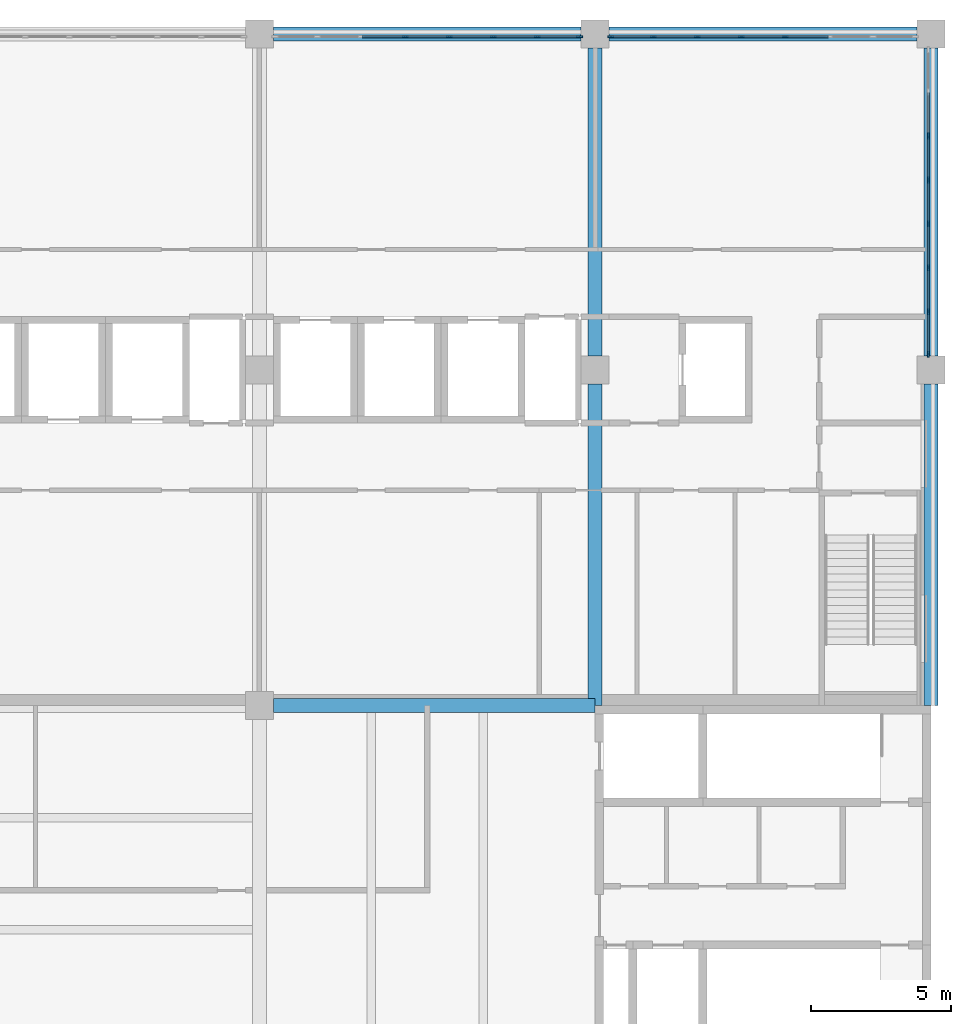
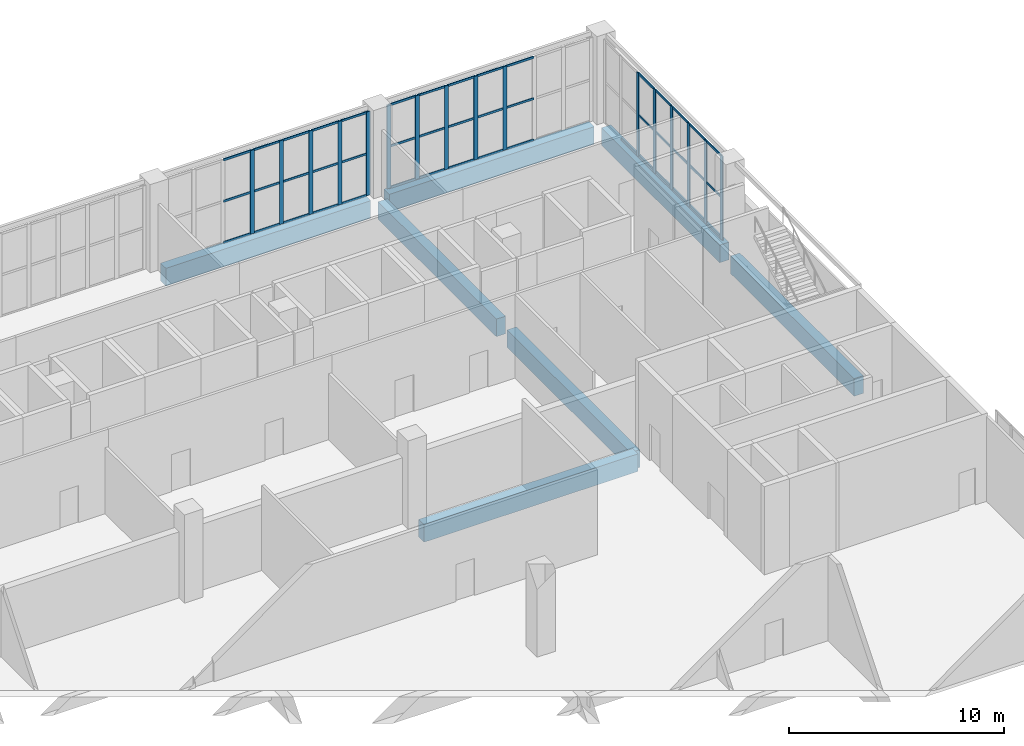
# One storey, part 40 of 69: 62 members, 7 beams, 3 elements without a shape of their own.
"""IFC4 building model written with IfcOpenShell, lengths in metres."""

from ifc_helpers import new_model, si_unit, direction, frame, origin, origin_2d, place, context, subcontext, project, spatial, rectangle, extrude, material, layer, layer_set, material_profile, profile_set, type_object, element, aggregate, save


model = new_model("IFC4")

# Units and contexts
model_context = context("Model", 3, precision=1e-05, world=origin(), true_north=direction((0.0, 1.0)))
body_context = subcontext(model_context, "Body", "Model", "MODEL_VIEW")
ifc_project = project(units=[si_unit("LENGTHUNIT", "METRE"), si_unit("AREAUNIT", "SQUARE_METRE"), si_unit("VOLUMEUNIT", "CUBIC_METRE"), si_unit("PLANEANGLEUNIT", "RADIAN"), si_unit("MASSUNIT", "GRAM", prefix="KILO")], contexts=[model_context])

# Site, building, storey
site_placement = place(None, origin())
site = spatial("IfcSite", under=ifc_project, at=site_placement, CompositionType="ELEMENT")
building_placement = place(site_placement, origin())
building = spatial("IfcBuilding", under=site, at=building_placement, Name="Lilac Gate Convention Centre", CompositionType="ELEMENT")
storey_placement = place(building_placement, frame((0.0, 0.0, 12.0)))
storey = spatial("IfcBuildingStorey", under=building, at=storey_placement, Name="L02", CompositionType="ELEMENT", Elevation=12.0)

# Curtain wall, members
ifc_material_1 = material(Name="Aluminium framed double glazing", Category="aluminium")
ifc_layer = layer(ifc_material_1, 0.199951171875)
ifc_layer_set = layer_set([ifc_layer], Name="Aluminium framed double glazing")
curtain_wall_type = type_object("IfcCurtainWallType", Name="Unitised curtain wall 1500", PredefinedType="NOTDEFINED", material=ifc_layer_set)
curtain_wall_1_placement = place(storey_placement, origin())
curtain_wall_1 = element("IfcCurtainWall", 1, at=curtain_wall_1_placement, inside=storey, type_object=curtain_wall_type, Name="Curtain wall E L02 2", PredefinedType="NOTDEFINED")
ifc_material_2 = material(Name="Aluminium alloy 6063", Category="aluminium")
ifc_material_profile_1 = material_profile(ifc_material_2, rectangle(XDim=0.06005859375, YDim=0.219970703125, at=origin_2d()), Name="Curtain wall mullion 60 x 220")
ifc_profile_set_1 = profile_set([ifc_material_profile_1], Name="Aluminium alloy 6063")
member_type_1 = type_object("IfcMemberType", Name="Curtain wall mullion 60 x 220", PredefinedType="MULLION", material=ifc_profile_set_1)
member_1_placement = place(storey_placement, frame((89.89990234375, 234.56005859375, 0.0), z_axis=(0.0, 0.0, 1.0), x_axis=(-1.0, 0.0, 0.0)))
member_1 = element("IfcMember", 2, at=member_1_placement, type_object=member_type_1, Name="CW mullion 1", PredefinedType="MULLION", context=body_context, shape_type="SweptSolid", body=[
    extrude(rectangle(XDim=0.06005859375, YDim=0.219970703125, at=origin_2d()), origin(), (0.0, 0.0, 1.0), 4.75),
])
member_2_placement = place(storey_placement, frame((89.89990234375, 236.071533203125, 0.0), z_axis=(0.0, 0.0, 1.0), x_axis=(-1.0, 0.0, 0.0)))
member_2 = element("IfcMember", 3, at=member_2_placement, type_object=member_type_1, Name="CW mullion 2", PredefinedType="MULLION", context=body_context, shape_type="SweptSolid", body=[
    extrude(rectangle(XDim=0.06005859375, YDim=0.219970703125, at=origin_2d()), origin(), (0.0, 0.0, 1.0), 4.75),
])
member_3_placement = place(storey_placement, frame((89.89990234375, 237.642822265625, 0.0), z_axis=(0.0, 0.0, 1.0), x_axis=(-1.0, 0.0, 0.0)))
member_3 = element("IfcMember", 4, at=member_3_placement, type_object=member_type_1, Name="CW mullion 3", PredefinedType="MULLION", context=body_context, shape_type="SweptSolid", body=[
    extrude(rectangle(XDim=0.06005859375, YDim=0.219970703125, at=origin_2d()), origin(), (0.0, 0.0, 1.0), 4.75),
])
member_4_placement = place(storey_placement, frame((89.89990234375, 239.21435546875, 0.0), z_axis=(0.0, 0.0, 1.0), x_axis=(-1.0, 0.0, 0.0)))
member_4 = element("IfcMember", 5, at=member_4_placement, type_object=member_type_1, Name="CW mullion 4", PredefinedType="MULLION", context=body_context, shape_type="SweptSolid", body=[
    extrude(rectangle(XDim=0.06005859375, YDim=0.219970703125, at=origin_2d()), origin(), (0.0, 0.0, 1.0), 4.75),
])
member_5_placement = place(storey_placement, frame((89.89990234375, 240.78564453125, 0.0), z_axis=(0.0, 0.0, 1.0), x_axis=(-1.0, 0.0, 0.0)))
member_5 = element("IfcMember", 6, at=member_5_placement, type_object=member_type_1, Name="CW mullion 5", PredefinedType="MULLION", context=body_context, shape_type="SweptSolid", body=[
    extrude(rectangle(XDim=0.06005859375, YDim=0.219970703125, at=origin_2d()), origin(), (0.0, 0.0, 1.0), 4.75),
])
member_6_placement = place(storey_placement, frame((89.89990234375, 242.357177734375, 0.0), z_axis=(0.0, 0.0, 1.0), x_axis=(-1.0, 0.0, 0.0)))
member_6 = element("IfcMember", 7, at=member_6_placement, type_object=member_type_1, Name="CW mullion 6", PredefinedType="MULLION", context=body_context, shape_type="SweptSolid", body=[
    extrude(rectangle(XDim=0.06005859375, YDim=0.219970703125, at=origin_2d()), origin(), (0.0, 0.0, 1.0), 4.75),
])

curtain_wall_2_placement = place(storey_placement, origin())
curtain_wall_2 = element("IfcCurtainWall", 8, at=curtain_wall_2_placement, inside=storey, type_object=curtain_wall_type, Name="Curtain wall N L02 1", PredefinedType="NOTDEFINED")
member_7_placement = place(storey_placement, frame((84.78564453125, 245.89990234375, 0.0), z_axis=(0.0, 0.0, 1.0), x_axis=(0.0, -1.0, 0.0)))
member_7 = element("IfcMember", 9, at=member_7_placement, type_object=member_type_1, Name="CW mullion 4", PredefinedType="MULLION", context=body_context, shape_type="SweptSolid", body=[
    extrude(rectangle(XDim=0.06005859375, YDim=0.219970703125, at=origin_2d()), origin(), (0.0, 0.0, 1.0), 4.75),
])
member_8_placement = place(storey_placement, frame((83.21435546875, 245.89990234375, 0.0), z_axis=(0.0, 0.0, 1.0), x_axis=(0.0, -1.0, 0.0)))
member_8 = element("IfcMember", 10, at=member_8_placement, type_object=member_type_1, Name="CW mullion 5", PredefinedType="MULLION", context=body_context, shape_type="SweptSolid", body=[
    extrude(rectangle(XDim=0.06005859375, YDim=0.219970703125, at=origin_2d()), origin(), (0.0, 0.0, 1.0), 4.75),
])
member_9_placement = place(storey_placement, frame((81.642822265625, 245.89990234375, 0.0), z_axis=(0.0, 0.0, 1.0), x_axis=(0.0, -1.0, 0.0)))
member_9 = element("IfcMember", 11, at=member_9_placement, type_object=member_type_1, Name="CW mullion 6", PredefinedType="MULLION", context=body_context, shape_type="SweptSolid", body=[
    extrude(rectangle(XDim=0.06005859375, YDim=0.219970703125, at=origin_2d()), origin(), (0.0, 0.0, 1.0), 4.75),
])
member_10_placement = place(storey_placement, frame((80.071533203125, 245.89990234375, 0.0), z_axis=(0.0, 0.0, 1.0), x_axis=(0.0, -1.0, 0.0)))
member_10 = element("IfcMember", 12, at=member_10_placement, type_object=member_type_1, Name="CW mullion 7", PredefinedType="MULLION", context=body_context, shape_type="SweptSolid", body=[
    extrude(rectangle(XDim=0.06005859375, YDim=0.219970703125, at=origin_2d()), origin(), (0.0, 0.0, 1.0), 4.75),
])
member_11_placement = place(storey_placement, frame((78.56005859375, 245.89990234375, 0.0), z_axis=(0.0, 0.0, 1.0), x_axis=(0.0, -1.0, 0.0)))
member_11 = element("IfcMember", 13, at=member_11_placement, type_object=member_type_1, Name="CW mullion 8", PredefinedType="MULLION", context=body_context, shape_type="SweptSolid", body=[
    extrude(rectangle(XDim=0.06005859375, YDim=0.219970703125, at=origin_2d()), origin(), (0.0, 0.0, 1.0), 4.75),
])

curtain_wall_3_placement = place(storey_placement, origin())
curtain_wall_3 = element("IfcCurtainWall", 14, at=curtain_wall_3_placement, inside=storey, type_object=curtain_wall_type, Name="Curtain wall N L02 2", PredefinedType="NOTDEFINED")
member_12_placement = place(storey_placement, frame((77.43994140625, 245.89990234375, 0.0), z_axis=(0.0, 0.0, 1.0), x_axis=(0.0, -1.0, 0.0)))
member_12 = element("IfcMember", 15, at=member_12_placement, type_object=member_type_1, Name="CW mullion 1", PredefinedType="MULLION", context=body_context, shape_type="SweptSolid", body=[
    extrude(rectangle(XDim=0.06005859375, YDim=0.219970703125, at=origin_2d()), origin(), (0.0, 0.0, 1.0), 4.75),
])
member_13_placement = place(storey_placement, frame((75.928466796875, 245.89990234375, 0.0), z_axis=(0.0, 0.0, 1.0), x_axis=(0.0, -1.0, 0.0)))
member_13 = element("IfcMember", 16, at=member_13_placement, type_object=member_type_1, Name="CW mullion 2", PredefinedType="MULLION", context=body_context, shape_type="SweptSolid", body=[
    extrude(rectangle(XDim=0.06005859375, YDim=0.219970703125, at=origin_2d()), origin(), (0.0, 0.0, 1.0), 4.75),
])
member_14_placement = place(storey_placement, frame((74.357177734375, 245.89990234375, 0.0), z_axis=(0.0, 0.0, 1.0), x_axis=(0.0, -1.0, 0.0)))
member_14 = element("IfcMember", 17, at=member_14_placement, type_object=member_type_1, Name="CW mullion 3", PredefinedType="MULLION", context=body_context, shape_type="SweptSolid", body=[
    extrude(rectangle(XDim=0.06005859375, YDim=0.219970703125, at=origin_2d()), origin(), (0.0, 0.0, 1.0), 4.75),
])
member_15_placement = place(storey_placement, frame((72.78564453125, 245.89990234375, 0.0), z_axis=(0.0, 0.0, 1.0), x_axis=(0.0, -1.0, 0.0)))
member_15 = element("IfcMember", 18, at=member_15_placement, type_object=member_type_1, Name="CW mullion 4", PredefinedType="MULLION", context=body_context, shape_type="SweptSolid", body=[
    extrude(rectangle(XDim=0.06005859375, YDim=0.219970703125, at=origin_2d()), origin(), (0.0, 0.0, 1.0), 4.75),
])
member_16_placement = place(storey_placement, frame((71.21435546875, 245.89990234375, 0.0), z_axis=(0.0, 0.0, 1.0), x_axis=(0.0, -1.0, 0.0)))
member_16 = element("IfcMember", 19, at=member_16_placement, type_object=member_type_1, Name="CW mullion 5", PredefinedType="MULLION", context=body_context, shape_type="SweptSolid", body=[
    extrude(rectangle(XDim=0.06005859375, YDim=0.219970703125, at=origin_2d()), origin(), (0.0, 0.0, 1.0), 4.75),
])

# Member
ifc_material_profile_2 = material_profile(ifc_material_2, rectangle(XDim=0.06005859375, YDim=0.1201171875, at=origin_2d()), Name="Curtain wall transom 60 x 120")
ifc_profile_set_2 = profile_set([ifc_material_profile_2], Name="Aluminium alloy 6063")
member_type_2 = type_object("IfcMemberType", Name="Curtain wall transom 60 x 120", PredefinedType="USERDEFINED", material=ifc_profile_set_2)
member_17_placement = place(storey_placement, frame((89.89990234375, 234.56005859375, 0.030029296875), z_axis=(0.0, 1.0, 0.0), x_axis=(-1.0, 0.0, 0.0)))
member_17 = element("IfcMember", 20, at=member_17_placement, type_object=member_type_2, Name="CW transom 1.1", ObjectType="TRANSOM", PredefinedType="USERDEFINED", context=body_context, shape_type="SweptSolid", body=[
    extrude(rectangle(XDim=0.06005859375, YDim=0.1201171875, at=origin_2d()), origin(), (0.0, 0.0, 1.0), 1.4814453125),
])

member_18_placement = place(storey_placement, frame((89.89990234375, 234.56005859375, 2.375), z_axis=(0.0, 1.0, 0.0), x_axis=(-1.0, 0.0, 0.0)))
member_18 = element("IfcMember", 21, at=member_18_placement, type_object=member_type_2, Name="CW transom 1.2", ObjectType="TRANSOM", PredefinedType="USERDEFINED", context=body_context, shape_type="SweptSolid", body=[
    extrude(rectangle(XDim=0.06005859375, YDim=0.1201171875, at=origin_2d()), origin(), (0.0, 0.0, 1.0), 1.4814453125),
])

member_19_placement = place(storey_placement, frame((89.89990234375, 234.56005859375, 4.719970703125), z_axis=(0.0, 1.0, 0.0), x_axis=(-1.0, 0.0, 0.0)))
member_19 = element("IfcMember", 22, at=member_19_placement, type_object=member_type_2, Name="CW transom 1.3", ObjectType="TRANSOM", PredefinedType="USERDEFINED", context=body_context, shape_type="SweptSolid", body=[
    extrude(rectangle(XDim=0.06005859375, YDim=0.1201171875, at=origin_2d()), origin(), (0.0, 0.0, 1.0), 1.4814453125),
])

member_20_placement = place(storey_placement, frame((89.89990234375, 236.101318359375, 0.030029296875), z_axis=(0.0, 1.0, 0.0), x_axis=(-1.0, 0.0, 0.0)))
member_20 = element("IfcMember", 23, at=member_20_placement, type_object=member_type_2, Name="CW transom 2.1", ObjectType="TRANSOM", PredefinedType="USERDEFINED", context=body_context, shape_type="SweptSolid", body=[
    extrude(rectangle(XDim=0.06005859375, YDim=0.1201171875, at=origin_2d()), origin(), (0.0, 0.0, 1.0), 1.511474609375),
])

member_21_placement = place(storey_placement, frame((89.89990234375, 236.101318359375, 2.375), z_axis=(0.0, 1.0, 0.0), x_axis=(-1.0, 0.0, 0.0)))
member_21 = element("IfcMember", 24, at=member_21_placement, type_object=member_type_2, Name="CW transom 2.2", ObjectType="TRANSOM", PredefinedType="USERDEFINED", context=body_context, shape_type="SweptSolid", body=[
    extrude(rectangle(XDim=0.06005859375, YDim=0.1201171875, at=origin_2d()), origin(), (0.0, 0.0, 1.0), 1.511474609375),
])

member_22_placement = place(storey_placement, frame((89.89990234375, 236.101318359375, 4.719970703125), z_axis=(0.0, 1.0, 0.0), x_axis=(-1.0, 0.0, 0.0)))
member_22 = element("IfcMember", 25, at=member_22_placement, type_object=member_type_2, Name="CW transom 2.3", ObjectType="TRANSOM", PredefinedType="USERDEFINED", context=body_context, shape_type="SweptSolid", body=[
    extrude(rectangle(XDim=0.06005859375, YDim=0.1201171875, at=origin_2d()), origin(), (0.0, 0.0, 1.0), 1.511474609375),
])

member_23_placement = place(storey_placement, frame((89.89990234375, 237.6728515625, 0.030029296875), z_axis=(0.0, 1.0, 0.0), x_axis=(-1.0, 0.0, 0.0)))
member_23 = element("IfcMember", 26, at=member_23_placement, type_object=member_type_2, Name="CW transom 3.1", ObjectType="TRANSOM", PredefinedType="USERDEFINED", context=body_context, shape_type="SweptSolid", body=[
    extrude(rectangle(XDim=0.06005859375, YDim=0.1201171875, at=origin_2d()), origin(), (0.0, 0.0, 1.0), 1.511474609375),
])

member_24_placement = place(storey_placement, frame((89.89990234375, 237.6728515625, 2.375), z_axis=(0.0, 1.0, 0.0), x_axis=(-1.0, 0.0, 0.0)))
member_24 = element("IfcMember", 27, at=member_24_placement, type_object=member_type_2, Name="CW transom 3.2", ObjectType="TRANSOM", PredefinedType="USERDEFINED", context=body_context, shape_type="SweptSolid", body=[
    extrude(rectangle(XDim=0.06005859375, YDim=0.1201171875, at=origin_2d()), origin(), (0.0, 0.0, 1.0), 1.511474609375),
])

member_25_placement = place(storey_placement, frame((89.89990234375, 237.6728515625, 4.719970703125), z_axis=(0.0, 1.0, 0.0), x_axis=(-1.0, 0.0, 0.0)))
member_25 = element("IfcMember", 28, at=member_25_placement, type_object=member_type_2, Name="CW transom 3.3", ObjectType="TRANSOM", PredefinedType="USERDEFINED", context=body_context, shape_type="SweptSolid", body=[
    extrude(rectangle(XDim=0.06005859375, YDim=0.1201171875, at=origin_2d()), origin(), (0.0, 0.0, 1.0), 1.511474609375),
])

member_26_placement = place(storey_placement, frame((89.89990234375, 239.244384765625, 0.030029296875), z_axis=(0.0, 1.0, 0.0), x_axis=(-1.0, 0.0, 0.0)))
member_26 = element("IfcMember", 29, at=member_26_placement, type_object=member_type_2, Name="CW transom 4.1", ObjectType="TRANSOM", PredefinedType="USERDEFINED", context=body_context, shape_type="SweptSolid", body=[
    extrude(rectangle(XDim=0.06005859375, YDim=0.1201171875, at=origin_2d()), origin(), (0.0, 0.0, 1.0), 1.51123046875),
])

member_27_placement = place(storey_placement, frame((89.89990234375, 239.244384765625, 2.375), z_axis=(0.0, 1.0, 0.0), x_axis=(-1.0, 0.0, 0.0)))
member_27 = element("IfcMember", 30, at=member_27_placement, type_object=member_type_2, Name="CW transom 4.2", ObjectType="TRANSOM", PredefinedType="USERDEFINED", context=body_context, shape_type="SweptSolid", body=[
    extrude(rectangle(XDim=0.06005859375, YDim=0.1201171875, at=origin_2d()), origin(), (0.0, 0.0, 1.0), 1.51123046875),
])

member_28_placement = place(storey_placement, frame((89.89990234375, 239.244384765625, 4.719970703125), z_axis=(0.0, 1.0, 0.0), x_axis=(-1.0, 0.0, 0.0)))
member_28 = element("IfcMember", 31, at=member_28_placement, type_object=member_type_2, Name="CW transom 4.3", ObjectType="TRANSOM", PredefinedType="USERDEFINED", context=body_context, shape_type="SweptSolid", body=[
    extrude(rectangle(XDim=0.06005859375, YDim=0.1201171875, at=origin_2d()), origin(), (0.0, 0.0, 1.0), 1.51123046875),
])

member_29_placement = place(storey_placement, frame((89.89990234375, 240.815673828125, 0.030029296875), z_axis=(0.0, 1.0, 0.0), x_axis=(-1.0, 0.0, 0.0)))
member_29 = element("IfcMember", 32, at=member_29_placement, type_object=member_type_2, Name="CW transom 5.1", ObjectType="TRANSOM", PredefinedType="USERDEFINED", context=body_context, shape_type="SweptSolid", body=[
    extrude(rectangle(XDim=0.06005859375, YDim=0.1201171875, at=origin_2d()), origin(), (0.0, 0.0, 1.0), 1.511474609375),
])

member_30_placement = place(storey_placement, frame((89.89990234375, 240.815673828125, 2.375), z_axis=(0.0, 1.0, 0.0), x_axis=(-1.0, 0.0, 0.0)))
member_30 = element("IfcMember", 33, at=member_30_placement, type_object=member_type_2, Name="CW transom 5.2", ObjectType="TRANSOM", PredefinedType="USERDEFINED", context=body_context, shape_type="SweptSolid", body=[
    extrude(rectangle(XDim=0.06005859375, YDim=0.1201171875, at=origin_2d()), origin(), (0.0, 0.0, 1.0), 1.511474609375),
])

member_31_placement = place(storey_placement, frame((89.89990234375, 240.815673828125, 4.719970703125), z_axis=(0.0, 1.0, 0.0), x_axis=(-1.0, 0.0, 0.0)))
member_31 = element("IfcMember", 34, at=member_31_placement, type_object=member_type_2, Name="CW transom 5.3", ObjectType="TRANSOM", PredefinedType="USERDEFINED", context=body_context, shape_type="SweptSolid", body=[
    extrude(rectangle(XDim=0.06005859375, YDim=0.1201171875, at=origin_2d()), origin(), (0.0, 0.0, 1.0), 1.511474609375),
])

member_32_placement = place(storey_placement, frame((89.89990234375, 242.38720703125, 0.030029296875), z_axis=(0.0, 1.0, 0.0), x_axis=(-1.0, 0.0, 0.0)))
member_32 = element("IfcMember", 35, at=member_32_placement, type_object=member_type_2, Name="CW transom 6.1", ObjectType="TRANSOM", PredefinedType="USERDEFINED", context=body_context, shape_type="SweptSolid", body=[
    extrude(rectangle(XDim=0.06005859375, YDim=0.1201171875, at=origin_2d()), origin(), (0.0, 0.0, 1.0), 1.511474609375),
])

aggregate(curtain_wall_1, [member_1, member_2, member_3, member_4, member_5, member_6, member_17, member_18, member_19, member_20, member_21, member_22, member_23, member_24, member_25, member_26, member_27, member_28, member_29, member_30, member_31, member_32])

member_33_placement = place(storey_placement, frame((86.3271484375, 245.89990234375, 0.030029296875), z_axis=(-1.0, 0.0, 0.0), x_axis=(0.0, -1.0, 0.0)))
member_33 = element("IfcMember", 36, at=member_33_placement, type_object=member_type_2, Name="CW transom 3.1", ObjectType="TRANSOM", PredefinedType="USERDEFINED", context=body_context, shape_type="SweptSolid", body=[
    extrude(rectangle(XDim=0.06005859375, YDim=0.1201171875, at=origin_2d()), origin(), (0.0, 0.0, 1.0), 1.511474609375),
])

member_34_placement = place(storey_placement, frame((86.3271484375, 245.89990234375, 2.375), z_axis=(-1.0, 0.0, 0.0), x_axis=(0.0, -1.0, 0.0)))
member_34 = element("IfcMember", 37, at=member_34_placement, type_object=member_type_2, Name="CW transom 3.2", ObjectType="TRANSOM", PredefinedType="USERDEFINED", context=body_context, shape_type="SweptSolid", body=[
    extrude(rectangle(XDim=0.06005859375, YDim=0.1201171875, at=origin_2d()), origin(), (0.0, 0.0, 1.0), 1.511474609375),
])

member_35_placement = place(storey_placement, frame((86.3271484375, 245.89990234375, 4.719970703125), z_axis=(-1.0, 0.0, 0.0), x_axis=(0.0, -1.0, 0.0)))
member_35 = element("IfcMember", 38, at=member_35_placement, type_object=member_type_2, Name="CW transom 3.3", ObjectType="TRANSOM", PredefinedType="USERDEFINED", context=body_context, shape_type="SweptSolid", body=[
    extrude(rectangle(XDim=0.06005859375, YDim=0.1201171875, at=origin_2d()), origin(), (0.0, 0.0, 1.0), 1.511474609375),
])

member_36_placement = place(storey_placement, frame((84.755615234375, 245.89990234375, 0.030029296875), z_axis=(-1.0, 0.0, 0.0), x_axis=(0.0, -1.0, 0.0)))
member_36 = element("IfcMember", 39, at=member_36_placement, type_object=member_type_2, Name="CW transom 4.1", ObjectType="TRANSOM", PredefinedType="USERDEFINED", context=body_context, shape_type="SweptSolid", body=[
    extrude(rectangle(XDim=0.06005859375, YDim=0.1201171875, at=origin_2d()), origin(), (0.0, 0.0, 1.0), 1.51123046875),
])

member_37_placement = place(storey_placement, frame((84.755615234375, 245.89990234375, 2.375), z_axis=(-1.0, 0.0, 0.0), x_axis=(0.0, -1.0, 0.0)))
member_37 = element("IfcMember", 40, at=member_37_placement, type_object=member_type_2, Name="CW transom 4.2", ObjectType="TRANSOM", PredefinedType="USERDEFINED", context=body_context, shape_type="SweptSolid", body=[
    extrude(rectangle(XDim=0.06005859375, YDim=0.1201171875, at=origin_2d()), origin(), (0.0, 0.0, 1.0), 1.51123046875),
])

member_38_placement = place(storey_placement, frame((84.755615234375, 245.89990234375, 4.719970703125), z_axis=(-1.0, 0.0, 0.0), x_axis=(0.0, -1.0, 0.0)))
member_38 = element("IfcMember", 41, at=member_38_placement, type_object=member_type_2, Name="CW transom 4.3", ObjectType="TRANSOM", PredefinedType="USERDEFINED", context=body_context, shape_type="SweptSolid", body=[
    extrude(rectangle(XDim=0.06005859375, YDim=0.1201171875, at=origin_2d()), origin(), (0.0, 0.0, 1.0), 1.51123046875),
])

member_39_placement = place(storey_placement, frame((83.184326171875, 245.89990234375, 0.030029296875), z_axis=(-1.0, 0.0, 0.0), x_axis=(0.0, -1.0, 0.0)))
member_39 = element("IfcMember", 42, at=member_39_placement, type_object=member_type_2, Name="CW transom 5.1", ObjectType="TRANSOM", PredefinedType="USERDEFINED", context=body_context, shape_type="SweptSolid", body=[
    extrude(rectangle(XDim=0.06005859375, YDim=0.1201171875, at=origin_2d()), origin(), (0.0, 0.0, 1.0), 1.511474609375),
])

member_40_placement = place(storey_placement, frame((83.184326171875, 245.89990234375, 2.375), z_axis=(-1.0, 0.0, 0.0), x_axis=(0.0, -1.0, 0.0)))
member_40 = element("IfcMember", 43, at=member_40_placement, type_object=member_type_2, Name="CW transom 5.2", ObjectType="TRANSOM", PredefinedType="USERDEFINED", context=body_context, shape_type="SweptSolid", body=[
    extrude(rectangle(XDim=0.06005859375, YDim=0.1201171875, at=origin_2d()), origin(), (0.0, 0.0, 1.0), 1.511474609375),
])

member_41_placement = place(storey_placement, frame((83.184326171875, 245.89990234375, 4.719970703125), z_axis=(-1.0, 0.0, 0.0), x_axis=(0.0, -1.0, 0.0)))
member_41 = element("IfcMember", 44, at=member_41_placement, type_object=member_type_2, Name="CW transom 5.3", ObjectType="TRANSOM", PredefinedType="USERDEFINED", context=body_context, shape_type="SweptSolid", body=[
    extrude(rectangle(XDim=0.06005859375, YDim=0.1201171875, at=origin_2d()), origin(), (0.0, 0.0, 1.0), 1.511474609375),
])

member_42_placement = place(storey_placement, frame((81.61279296875, 245.89990234375, 0.030029296875), z_axis=(-1.0, 0.0, 0.0), x_axis=(0.0, -1.0, 0.0)))
member_42 = element("IfcMember", 45, at=member_42_placement, type_object=member_type_2, Name="CW transom 6.1", ObjectType="TRANSOM", PredefinedType="USERDEFINED", context=body_context, shape_type="SweptSolid", body=[
    extrude(rectangle(XDim=0.06005859375, YDim=0.1201171875, at=origin_2d()), origin(), (0.0, 0.0, 1.0), 1.511474609375),
])

member_43_placement = place(storey_placement, frame((81.61279296875, 245.89990234375, 2.375), z_axis=(-1.0, 0.0, 0.0), x_axis=(0.0, -1.0, 0.0)))
member_43 = element("IfcMember", 46, at=member_43_placement, type_object=member_type_2, Name="CW transom 6.2", ObjectType="TRANSOM", PredefinedType="USERDEFINED", context=body_context, shape_type="SweptSolid", body=[
    extrude(rectangle(XDim=0.06005859375, YDim=0.1201171875, at=origin_2d()), origin(), (0.0, 0.0, 1.0), 1.511474609375),
])

member_44_placement = place(storey_placement, frame((81.61279296875, 245.89990234375, 4.719970703125), z_axis=(-1.0, 0.0, 0.0), x_axis=(0.0, -1.0, 0.0)))
member_44 = element("IfcMember", 47, at=member_44_placement, type_object=member_type_2, Name="CW transom 6.3", ObjectType="TRANSOM", PredefinedType="USERDEFINED", context=body_context, shape_type="SweptSolid", body=[
    extrude(rectangle(XDim=0.06005859375, YDim=0.1201171875, at=origin_2d()), origin(), (0.0, 0.0, 1.0), 1.511474609375),
])

member_45_placement = place(storey_placement, frame((80.04150390625, 245.89990234375, 0.030029296875), z_axis=(-1.0, 0.0, 0.0), x_axis=(0.0, -1.0, 0.0)))
member_45 = element("IfcMember", 48, at=member_45_placement, type_object=member_type_2, Name="CW transom 7.1", ObjectType="TRANSOM", PredefinedType="USERDEFINED", context=body_context, shape_type="SweptSolid", body=[
    extrude(rectangle(XDim=0.06005859375, YDim=0.1201171875, at=origin_2d()), origin(), (0.0, 0.0, 1.0), 1.4814453125),
])

member_46_placement = place(storey_placement, frame((80.04150390625, 245.89990234375, 2.375), z_axis=(-1.0, 0.0, 0.0), x_axis=(0.0, -1.0, 0.0)))
member_46 = element("IfcMember", 49, at=member_46_placement, type_object=member_type_2, Name="CW transom 7.2", ObjectType="TRANSOM", PredefinedType="USERDEFINED", context=body_context, shape_type="SweptSolid", body=[
    extrude(rectangle(XDim=0.06005859375, YDim=0.1201171875, at=origin_2d()), origin(), (0.0, 0.0, 1.0), 1.4814453125),
])

member_47_placement = place(storey_placement, frame((80.04150390625, 245.89990234375, 4.719970703125), z_axis=(-1.0, 0.0, 0.0), x_axis=(0.0, -1.0, 0.0)))
member_47 = element("IfcMember", 50, at=member_47_placement, type_object=member_type_2, Name="CW transom 7.3", ObjectType="TRANSOM", PredefinedType="USERDEFINED", context=body_context, shape_type="SweptSolid", body=[
    extrude(rectangle(XDim=0.06005859375, YDim=0.1201171875, at=origin_2d()), origin(), (0.0, 0.0, 1.0), 1.4814453125),
])

aggregate(curtain_wall_2, [member_7, member_8, member_9, member_10, member_11, member_33, member_34, member_35, member_36, member_37, member_38, member_39, member_40, member_41, member_42, member_43, member_44, member_45, member_46, member_47])

member_48_placement = place(storey_placement, frame((77.43994140625, 245.89990234375, 0.030029296875), z_axis=(-1.0, 0.0, 0.0), x_axis=(0.0, -1.0, 0.0)))
member_48 = element("IfcMember", 51, at=member_48_placement, type_object=member_type_2, Name="CW transom 1.1", ObjectType="TRANSOM", PredefinedType="USERDEFINED", context=body_context, shape_type="SweptSolid", body=[
    extrude(rectangle(XDim=0.06005859375, YDim=0.1201171875, at=origin_2d()), origin(), (0.0, 0.0, 1.0), 1.4814453125),
])

member_49_placement = place(storey_placement, frame((77.43994140625, 245.89990234375, 2.375), z_axis=(-1.0, 0.0, 0.0), x_axis=(0.0, -1.0, 0.0)))
member_49 = element("IfcMember", 52, at=member_49_placement, type_object=member_type_2, Name="CW transom 1.2", ObjectType="TRANSOM", PredefinedType="USERDEFINED", context=body_context, shape_type="SweptSolid", body=[
    extrude(rectangle(XDim=0.06005859375, YDim=0.1201171875, at=origin_2d()), origin(), (0.0, 0.0, 1.0), 1.4814453125),
])

member_50_placement = place(storey_placement, frame((77.43994140625, 245.89990234375, 4.719970703125), z_axis=(-1.0, 0.0, 0.0), x_axis=(0.0, -1.0, 0.0)))
member_50 = element("IfcMember", 53, at=member_50_placement, type_object=member_type_2, Name="CW transom 1.3", ObjectType="TRANSOM", PredefinedType="USERDEFINED", context=body_context, shape_type="SweptSolid", body=[
    extrude(rectangle(XDim=0.06005859375, YDim=0.1201171875, at=origin_2d()), origin(), (0.0, 0.0, 1.0), 1.4814453125),
])

member_51_placement = place(storey_placement, frame((75.898681640625, 245.89990234375, 0.030029296875), z_axis=(-1.0, 0.0, 0.0), x_axis=(0.0, -1.0, 0.0)))
member_51 = element("IfcMember", 54, at=member_51_placement, type_object=member_type_2, Name="CW transom 2.1", ObjectType="TRANSOM", PredefinedType="USERDEFINED", context=body_context, shape_type="SweptSolid", body=[
    extrude(rectangle(XDim=0.06005859375, YDim=0.1201171875, at=origin_2d()), origin(), (0.0, 0.0, 1.0), 1.511474609375),
])

member_52_placement = place(storey_placement, frame((75.898681640625, 245.89990234375, 2.375), z_axis=(-1.0, 0.0, 0.0), x_axis=(0.0, -1.0, 0.0)))
member_52 = element("IfcMember", 55, at=member_52_placement, type_object=member_type_2, Name="CW transom 2.2", ObjectType="TRANSOM", PredefinedType="USERDEFINED", context=body_context, shape_type="SweptSolid", body=[
    extrude(rectangle(XDim=0.06005859375, YDim=0.1201171875, at=origin_2d()), origin(), (0.0, 0.0, 1.0), 1.511474609375),
])

member_53_placement = place(storey_placement, frame((75.898681640625, 245.89990234375, 4.719970703125), z_axis=(-1.0, 0.0, 0.0), x_axis=(0.0, -1.0, 0.0)))
member_53 = element("IfcMember", 56, at=member_53_placement, type_object=member_type_2, Name="CW transom 2.3", ObjectType="TRANSOM", PredefinedType="USERDEFINED", context=body_context, shape_type="SweptSolid", body=[
    extrude(rectangle(XDim=0.06005859375, YDim=0.1201171875, at=origin_2d()), origin(), (0.0, 0.0, 1.0), 1.511474609375),
])

member_54_placement = place(storey_placement, frame((74.3271484375, 245.89990234375, 0.030029296875), z_axis=(-1.0, 0.0, 0.0), x_axis=(0.0, -1.0, 0.0)))
member_54 = element("IfcMember", 57, at=member_54_placement, type_object=member_type_2, Name="CW transom 3.1", ObjectType="TRANSOM", PredefinedType="USERDEFINED", context=body_context, shape_type="SweptSolid", body=[
    extrude(rectangle(XDim=0.06005859375, YDim=0.1201171875, at=origin_2d()), origin(), (0.0, 0.0, 1.0), 1.511474609375),
])

member_55_placement = place(storey_placement, frame((74.3271484375, 245.89990234375, 2.375), z_axis=(-1.0, 0.0, 0.0), x_axis=(0.0, -1.0, 0.0)))
member_55 = element("IfcMember", 58, at=member_55_placement, type_object=member_type_2, Name="CW transom 3.2", ObjectType="TRANSOM", PredefinedType="USERDEFINED", context=body_context, shape_type="SweptSolid", body=[
    extrude(rectangle(XDim=0.06005859375, YDim=0.1201171875, at=origin_2d()), origin(), (0.0, 0.0, 1.0), 1.511474609375),
])

member_56_placement = place(storey_placement, frame((74.3271484375, 245.89990234375, 4.719970703125), z_axis=(-1.0, 0.0, 0.0), x_axis=(0.0, -1.0, 0.0)))
member_56 = element("IfcMember", 59, at=member_56_placement, type_object=member_type_2, Name="CW transom 3.3", ObjectType="TRANSOM", PredefinedType="USERDEFINED", context=body_context, shape_type="SweptSolid", body=[
    extrude(rectangle(XDim=0.06005859375, YDim=0.1201171875, at=origin_2d()), origin(), (0.0, 0.0, 1.0), 1.511474609375),
])

member_57_placement = place(storey_placement, frame((72.755615234375, 245.89990234375, 0.030029296875), z_axis=(-1.0, 0.0, 0.0), x_axis=(0.0, -1.0, 0.0)))
member_57 = element("IfcMember", 60, at=member_57_placement, type_object=member_type_2, Name="CW transom 4.1", ObjectType="TRANSOM", PredefinedType="USERDEFINED", context=body_context, shape_type="SweptSolid", body=[
    extrude(rectangle(XDim=0.06005859375, YDim=0.1201171875, at=origin_2d()), origin(), (0.0, 0.0, 1.0), 1.51123046875),
])

member_58_placement = place(storey_placement, frame((72.755615234375, 245.89990234375, 2.375), z_axis=(-1.0, 0.0, 0.0), x_axis=(0.0, -1.0, 0.0)))
member_58 = element("IfcMember", 61, at=member_58_placement, type_object=member_type_2, Name="CW transom 4.2", ObjectType="TRANSOM", PredefinedType="USERDEFINED", context=body_context, shape_type="SweptSolid", body=[
    extrude(rectangle(XDim=0.06005859375, YDim=0.1201171875, at=origin_2d()), origin(), (0.0, 0.0, 1.0), 1.51123046875),
])

member_59_placement = place(storey_placement, frame((72.755615234375, 245.89990234375, 4.719970703125), z_axis=(-1.0, 0.0, 0.0), x_axis=(0.0, -1.0, 0.0)))
member_59 = element("IfcMember", 62, at=member_59_placement, type_object=member_type_2, Name="CW transom 4.3", ObjectType="TRANSOM", PredefinedType="USERDEFINED", context=body_context, shape_type="SweptSolid", body=[
    extrude(rectangle(XDim=0.06005859375, YDim=0.1201171875, at=origin_2d()), origin(), (0.0, 0.0, 1.0), 1.51123046875),
])

member_60_placement = place(storey_placement, frame((71.184326171875, 245.89990234375, 0.030029296875), z_axis=(-1.0, 0.0, 0.0), x_axis=(0.0, -1.0, 0.0)))
member_60 = element("IfcMember", 63, at=member_60_placement, type_object=member_type_2, Name="CW transom 5.1", ObjectType="TRANSOM", PredefinedType="USERDEFINED", context=body_context, shape_type="SweptSolid", body=[
    extrude(rectangle(XDim=0.06005859375, YDim=0.1201171875, at=origin_2d()), origin(), (0.0, 0.0, 1.0), 1.511474609375),
])

member_61_placement = place(storey_placement, frame((71.184326171875, 245.89990234375, 2.375), z_axis=(-1.0, 0.0, 0.0), x_axis=(0.0, -1.0, 0.0)))
member_61 = element("IfcMember", 64, at=member_61_placement, type_object=member_type_2, Name="CW transom 5.2", ObjectType="TRANSOM", PredefinedType="USERDEFINED", context=body_context, shape_type="SweptSolid", body=[
    extrude(rectangle(XDim=0.06005859375, YDim=0.1201171875, at=origin_2d()), origin(), (0.0, 0.0, 1.0), 1.511474609375),
])

member_62_placement = place(storey_placement, frame((71.184326171875, 245.89990234375, 4.719970703125), z_axis=(-1.0, 0.0, 0.0), x_axis=(0.0, -1.0, 0.0)))
member_62 = element("IfcMember", 65, at=member_62_placement, type_object=member_type_2, Name="CW transom 5.3", ObjectType="TRANSOM", PredefinedType="USERDEFINED", context=body_context, shape_type="SweptSolid", body=[
    extrude(rectangle(XDim=0.06005859375, YDim=0.1201171875, at=origin_2d()), origin(), (0.0, 0.0, 1.0), 1.511474609375),
])

aggregate(curtain_wall_3, [member_12, member_13, member_14, member_15, member_16, member_48, member_49, member_50, member_51, member_52, member_53, member_54, member_55, member_56, member_57, member_58, member_59, member_60, member_61, member_62])

# Beams
ifc_material_3 = material(Name="Concrete C40", Category="concrete")
ifc_material_profile_3 = material_profile(ifc_material_3, rectangle(XDim=0.5, YDim=1.0, at=origin_2d()), Name="RC 500x1000")
ifc_profile_set_3 = profile_set([ifc_material_profile_3], Name="Concrete C40")
beam_type = type_object("IfcBeamType", Name="Primary beam 500x1000 C40", PredefinedType="BEAM", material=ifc_profile_set_3)
beam_1_placement = place(storey_placement, frame((66.5, 222.0, -0.75), z_axis=(1.0, 0.0, 0.0), x_axis=(0.0, 1.0, 0.0)))
element("IfcBeam", 66, at=beam_1_placement, inside=storey, type_object=beam_type, Name="RB1 L02 6/S-7/S", PredefinedType="BEAM", context=body_context, shape_type="SweptSolid", body=[
    extrude(rectangle(XDim=0.5, YDim=1.0, at=origin_2d()), origin(), (0.0, 0.0, 1.0), 11.5),
])
for number, where, z_axis, x_axis, name in (
    (67, (66.5, 246.0, -0.75), (1.0, 0.0, 0.0), (0.0, 1.0, 0.0), "RB1 L02 6/U-7/U"),
    (68, (78.5, 246.0, -0.75), (1.0, 0.0, 0.0), (0.0, 1.0, 0.0), "RB1 L02 7/U-8/U"),
):
    element("IfcBeam", number, at=place(storey_placement, frame(where, z_axis=z_axis, x_axis=x_axis)), inside=storey, type_object=beam_type, Name=name, PredefinedType="BEAM", context=body_context, shape_type="SweptSolid", body=[
        extrude(rectangle(XDim=0.5, YDim=1.0, at=origin_2d()), origin(), (0.0, 0.0, 1.0), 11.0),
    ])
beam_2_placement = place(storey_placement, frame((78.0, 222.0, -0.75), z_axis=(0.0, 1.0, 0.0), x_axis=(-1.0, 0.0, 0.0)))
element("IfcBeam", 69, at=beam_2_placement, inside=storey, type_object=beam_type, Name="RB1 L02 7/S-7/T", PredefinedType="BEAM", context=body_context, shape_type="SweptSolid", body=[
    extrude(rectangle(XDim=0.5, YDim=1.0, at=origin_2d()), origin(), (0.0, 0.0, 1.0), 11.5),
])
beam_3_placement = place(storey_placement, frame((78.0, 234.5, -0.75), z_axis=(0.0, 1.0, 0.0), x_axis=(-1.0, 0.0, 0.0)))
element("IfcBeam", 70, at=beam_3_placement, inside=storey, type_object=beam_type, Name="RB1 L02 7/T-7/U", PredefinedType="BEAM", context=body_context, shape_type="SweptSolid", body=[
    extrude(rectangle(XDim=0.5, YDim=1.0, at=origin_2d()), origin(), (0.0, 0.0, 1.0), 11.0),
])
beam_4_placement = place(storey_placement, frame((90.0, 222.0, -0.75), z_axis=(0.0, 1.0, 0.0), x_axis=(-1.0, 0.0, 0.0)))
element("IfcBeam", 71, at=beam_4_placement, inside=storey, type_object=beam_type, Name="RB1 L02 8/S-8/T", PredefinedType="BEAM", context=body_context, shape_type="SweptSolid", body=[
    extrude(rectangle(XDim=0.5, YDim=1.0, at=origin_2d()), origin(), (0.0, 0.0, 1.0), 11.5),
])
beam_5_placement = place(storey_placement, frame((90.0, 234.5, -0.75), z_axis=(0.0, 1.0, 0.0), x_axis=(-1.0, 0.0, 0.0)))
element("IfcBeam", 72, at=beam_5_placement, inside=storey, type_object=beam_type, Name="RB1 L02 8/T-8/U", PredefinedType="BEAM", context=body_context, shape_type="SweptSolid", body=[
    extrude(rectangle(XDim=0.5, YDim=1.0, at=origin_2d()), origin(), (0.0, 0.0, 1.0), 11.0),
])

save(model, "model.ifc")
